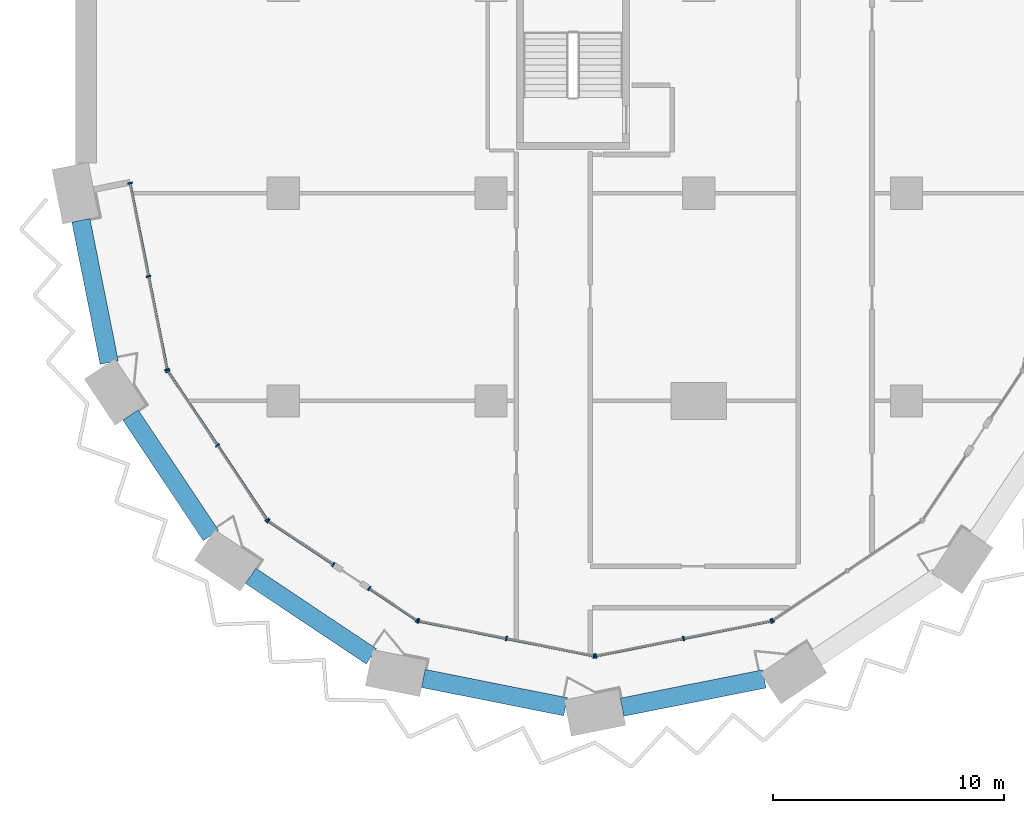
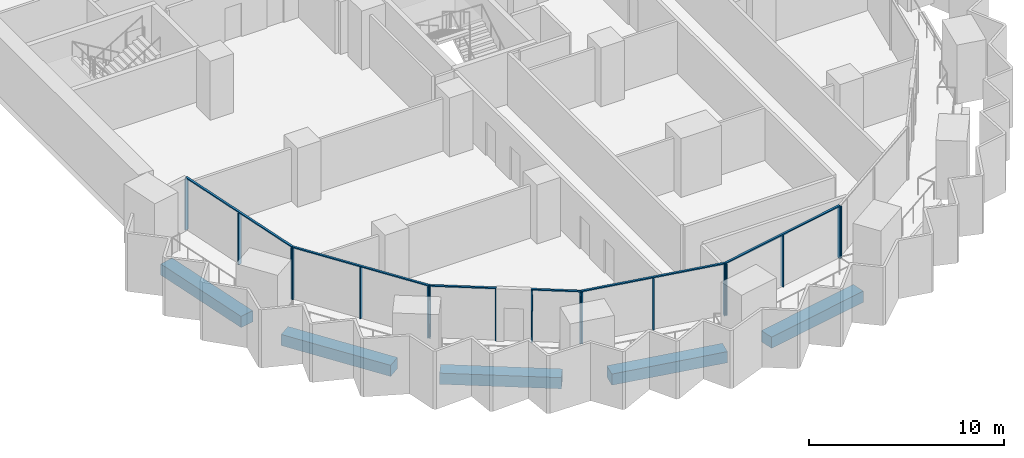
# One storey, part 2 of 29: 23 members, 5 beams, 7 elements without a shape of their own.
"""IFC4 building model written with IfcOpenShell, lengths in metres."""

from ifc_helpers import new_model, si_unit, direction, frame, origin, origin_2d, place, context, subcontext, project, spatial, rectangle, extrude, material, material_profile, profile_set, type_object, element, aggregate, save


model = new_model("IFC4")

# Units and contexts
model_context = context("Model", 3, precision=1e-05, world=origin(), true_north=direction((0.0, 1.0)))
body_context = subcontext(model_context, "Body", "Model", "MODEL_VIEW")
ifc_project = project(units=[si_unit("LENGTHUNIT", "METRE"), si_unit("AREAUNIT", "SQUARE_METRE"), si_unit("VOLUMEUNIT", "CUBIC_METRE"), si_unit("PLANEANGLEUNIT", "RADIAN"), si_unit("MASSUNIT", "GRAM", prefix="KILO")], contexts=[model_context])

# Site, building, storey
site_placement = place(None, origin())
site = spatial("IfcSite", under=ifc_project, at=site_placement, CompositionType="ELEMENT")
building_placement = place(site_placement, origin())
building = spatial("IfcBuilding", under=site, at=building_placement, Name="Hunhe Ridgeline Campus", CompositionType="ELEMENT")
storey_placement = place(building_placement, frame((0.0, 0.0, 50.60009765625)))
storey = spatial("IfcBuildingStorey", under=building, at=storey_placement, Name="L11", CompositionType="ELEMENT", Elevation=50.60009765625)

# Curtain wall, members
ifc_material_1 = material(Name="Aluminium 6063", Category="aluminium")
curtain_wall_type = type_object("IfcCurtainWallType", Name="Curtain wall CW-5", PredefinedType="NOTDEFINED", material=ifc_material_1)
curtain_wall_1_placement = place(storey_placement, origin())
curtain_wall_1 = element("IfcCurtainWall", 1, at=curtain_wall_1_placement, inside=storey, type_object=curtain_wall_type, Name="Curtain wall 01", PredefinedType="NOTDEFINED")
ifc_material_profile_1 = material_profile(ifc_material_1, rectangle(XDim=0.199951171875, YDim=0.070068359375, at=origin_2d()))
ifc_profile_set_1 = profile_set([ifc_material_profile_1], Name="Aluminium 6063")
member_type_1 = type_object("IfcMemberType", Name="CW-5 aluminium mullion", PredefinedType="MULLION", material=ifc_profile_set_1)
member_1_placement = place(storey_placement, frame((2.361572265625, 27.434326171875, 0.0), z_axis=(0.0, 0.0, 1.0), x_axis=(0.980784280831, 0.195095347137, 0.0)))
member_1 = element("IfcMember", 2, at=member_1_placement, type_object=member_type_1, Name="CW-5 mullion 1", PredefinedType="MULLION", context=body_context, shape_type="SweptSolid", body=[
    extrude(rectangle(XDim=0.199951171875, YDim=0.070068359375, at=origin_2d()), origin(), (0.0, 0.0, 1.0), 3.22998046875),
])
member_2_placement = place(storey_placement, frame((3.16455078125, 23.3974609375, 0.0), z_axis=(0.0, 0.0, 1.0), x_axis=(0.980784280831, 0.195095347137, 0.0)))
member_2 = element("IfcMember", 3, at=member_2_placement, type_object=member_type_1, Name="CW-5 mullion 2", PredefinedType="MULLION", context=body_context, shape_type="SweptSolid", body=[
    extrude(rectangle(XDim=0.199951171875, YDim=0.070068359375, at=origin_2d()), origin(), (0.0, 0.0, 1.0), 3.22998046875),
])
member_3_placement = place(storey_placement, frame((3.967529296875, 19.36083984375, 0.0), z_axis=(0.0, 0.0, 1.0), x_axis=(0.980784280831, 0.195095347137, 0.0)))
member_3 = element("IfcMember", 4, at=member_3_placement, type_object=member_type_1, Name="CW-5 mullion 3", PredefinedType="MULLION", context=body_context, shape_type="SweptSolid", body=[
    extrude(rectangle(XDim=0.199951171875, YDim=0.070068359375, at=origin_2d()), origin(), (0.0, 0.0, 1.0), 3.22998046875),
])

curtain_wall_2_placement = place(storey_placement, origin())
curtain_wall_2 = element("IfcCurtainWall", 5, at=curtain_wall_2_placement, inside=storey, type_object=curtain_wall_type, Name="Curtain wall 02", PredefinedType="NOTDEFINED")
member_4_placement = place(storey_placement, frame((3.993896484375, 19.29736328125, 0.0), z_axis=(0.0, 0.0, 1.0), x_axis=(0.831469584522, 0.555570274596, 0.0)))
member_4 = element("IfcMember", 6, at=member_4_placement, type_object=member_type_1, Name="CW-5 mullion 1", PredefinedType="MULLION", context=body_context, shape_type="SweptSolid", body=[
    extrude(rectangle(XDim=0.199951171875, YDim=0.070068359375, at=origin_2d()), origin(), (0.0, 0.0, 1.0), 3.22998046875),
])
member_5_placement = place(storey_placement, frame((6.147705078125, 16.07373046875, 0.0), z_axis=(0.0, 0.0, 1.0), x_axis=(0.831469584522, 0.555570274596, 0.0)))
member_5 = element("IfcMember", 7, at=member_5_placement, type_object=member_type_1, Name="CW-5 mullion 2", PredefinedType="MULLION", context=body_context, shape_type="SweptSolid", body=[
    extrude(rectangle(XDim=0.199951171875, YDim=0.070068359375, at=origin_2d()), origin(), (0.0, 0.0, 1.0), 3.22998046875),
])
member_6_placement = place(storey_placement, frame((8.3017578125, 12.850341796875, 0.0), z_axis=(0.0, 0.0, 1.0), x_axis=(0.831469584522, 0.555570274596, 0.0)))
member_6 = element("IfcMember", 8, at=member_6_placement, type_object=member_type_1, Name="CW-5 mullion 3", PredefinedType="MULLION", context=body_context, shape_type="SweptSolid", body=[
    extrude(rectangle(XDim=0.199951171875, YDim=0.070068359375, at=origin_2d()), origin(), (0.0, 0.0, 1.0), 3.22998046875),
])

curtain_wall_3_placement = place(storey_placement, origin())
curtain_wall_3 = element("IfcCurtainWall", 9, at=curtain_wall_3_placement, inside=storey, type_object=curtain_wall_type, Name="Curtain wall 03", PredefinedType="NOTDEFINED")
member_7_placement = place(storey_placement, frame((8.350341796875, 12.8017578125, 0.0), z_axis=(0.0, 0.0, 1.0), x_axis=(0.555570257501, 0.831469595944, 0.0)))
member_7 = element("IfcMember", 10, at=member_7_placement, type_object=member_type_1, Name="CW-5 mullion 1", PredefinedType="MULLION", context=body_context, shape_type="SweptSolid", body=[
    extrude(rectangle(XDim=0.199951171875, YDim=0.070068359375, at=origin_2d()), origin(), (0.0, 0.0, 1.0), 3.22998046875),
])
member_8_placement = place(storey_placement, frame((11.17041015625, 10.917236328125, 0.0), z_axis=(0.0, 0.0, 1.0), x_axis=(0.555570257501, 0.831469595944, 0.0)))
member_8 = element("IfcMember", 11, at=member_8_placement, type_object=member_type_1, Name="CW-5 mullion 2", PredefinedType="MULLION", context=body_context, shape_type="SweptSolid", body=[
    extrude(rectangle(XDim=0.199951171875, YDim=0.070068359375, at=origin_2d()), origin(), (0.0, 0.0, 1.0), 3.22998046875),
])

curtain_wall_4_placement = place(storey_placement, origin())
curtain_wall_4 = element("IfcCurtainWall", 12, at=curtain_wall_4_placement, inside=storey, type_object=curtain_wall_type, Name="Curtain wall 04", PredefinedType="NOTDEFINED")
member_9_placement = place(storey_placement, frame((12.725341796875, 9.87841796875, 0.0), z_axis=(0.0, 0.0, 1.0), x_axis=(0.555570385598, 0.831469510353, 0.0)))
member_9 = element("IfcMember", 13, at=member_9_placement, type_object=member_type_1, Name="CW-5 mullion 1", PredefinedType="MULLION", context=body_context, shape_type="SweptSolid", body=[
    extrude(rectangle(XDim=0.199951171875, YDim=0.070068359375, at=origin_2d()), origin(), (0.0, 0.0, 1.0), 3.22998046875),
])
member_10_placement = place(storey_placement, frame((14.79736328125, 8.493896484375, 0.0), z_axis=(0.0, 0.0, 1.0), x_axis=(0.555570385598, 0.831469510353, 0.0)))
member_10 = element("IfcMember", 14, at=member_10_placement, type_object=member_type_1, Name="CW-5 mullion 2", PredefinedType="MULLION", context=body_context, shape_type="SweptSolid", body=[
    extrude(rectangle(XDim=0.199951171875, YDim=0.070068359375, at=origin_2d()), origin(), (0.0, 0.0, 1.0), 3.22998046875),
])

curtain_wall_5_placement = place(storey_placement, origin())
curtain_wall_5 = element("IfcCurtainWall", 15, at=curtain_wall_5_placement, inside=storey, type_object=curtain_wall_type, Name="Curtain wall 05", PredefinedType="NOTDEFINED")
member_11_placement = place(storey_placement, frame((14.86083984375, 8.467529296875, 0.0), z_axis=(0.0, 0.0, 1.0), x_axis=(0.195090347539, 0.980785275326, 0.0)))
member_11 = element("IfcMember", 16, at=member_11_placement, type_object=member_type_1, Name="CW-5 mullion 1", PredefinedType="MULLION", context=body_context, shape_type="SweptSolid", body=[
    extrude(rectangle(XDim=0.199951171875, YDim=0.070068359375, at=origin_2d()), origin(), (0.0, 0.0, 1.0), 3.22998046875),
])
member_12_placement = place(storey_placement, frame((18.663330078125, 7.711181640625, 0.0), z_axis=(0.0, 0.0, 1.0), x_axis=(0.195090347539, 0.980785275326, 0.0)))
member_12 = element("IfcMember", 17, at=member_12_placement, type_object=member_type_1, Name="CW-5 mullion 2", PredefinedType="MULLION", context=body_context, shape_type="SweptSolid", body=[
    extrude(rectangle(XDim=0.199951171875, YDim=0.070068359375, at=origin_2d()), origin(), (0.0, 0.0, 1.0), 3.22998046875),
])
member_13_placement = place(storey_placement, frame((22.465576171875, 6.954833984375, 0.0), z_axis=(0.0, 0.0, 1.0), x_axis=(0.195090347539, 0.980785275326, 0.0)))
member_13 = element("IfcMember", 18, at=member_13_placement, type_object=member_type_1, Name="CW-5 mullion 3", PredefinedType="MULLION", context=body_context, shape_type="SweptSolid", body=[
    extrude(rectangle(XDim=0.199951171875, YDim=0.070068359375, at=origin_2d()), origin(), (0.0, 0.0, 1.0), 3.22998046875),
])

curtain_wall_6_placement = place(storey_placement, origin())
curtain_wall_6 = element("IfcCurtainWall", 19, at=curtain_wall_6_placement, inside=storey, type_object=curtain_wall_type, Name="Curtain wall 06", PredefinedType="NOTDEFINED")
member_14_placement = place(storey_placement, frame((22.534423828125, 6.954833984375, 0.0), z_axis=(0.0, 0.0, 1.0), x_axis=(-0.195090347539, 0.980785275326, 0.0)))
member_14 = element("IfcMember", 20, at=member_14_placement, type_object=member_type_1, Name="CW-5 mullion 1", PredefinedType="MULLION", context=body_context, shape_type="SweptSolid", body=[
    extrude(rectangle(XDim=0.199951171875, YDim=0.070068359375, at=origin_2d()), origin(), (0.0, 0.0, 1.0), 3.22998046875),
])
member_15_placement = place(storey_placement, frame((26.336669921875, 7.711181640625, 0.0), z_axis=(0.0, 0.0, 1.0), x_axis=(-0.195090347539, 0.980785275326, 0.0)))
member_15 = element("IfcMember", 21, at=member_15_placement, type_object=member_type_1, Name="CW-5 mullion 2", PredefinedType="MULLION", context=body_context, shape_type="SweptSolid", body=[
    extrude(rectangle(XDim=0.199951171875, YDim=0.070068359375, at=origin_2d()), origin(), (0.0, 0.0, 1.0), 3.22998046875),
])
member_16_placement = place(storey_placement, frame((30.13916015625, 8.467529296875, 0.0), z_axis=(0.0, 0.0, 1.0), x_axis=(-0.195090347539, 0.980785275326, 0.0)))
member_16 = element("IfcMember", 22, at=member_16_placement, type_object=member_type_1, Name="CW-5 mullion 3", PredefinedType="MULLION", context=body_context, shape_type="SweptSolid", body=[
    extrude(rectangle(XDim=0.199951171875, YDim=0.070068359375, at=origin_2d()), origin(), (0.0, 0.0, 1.0), 3.22998046875),
])

# Curtain wall, member
curtain_wall_7_placement = place(storey_placement, origin())
curtain_wall_7 = element("IfcCurtainWall", 23, at=curtain_wall_7_placement, inside=storey, type_object=curtain_wall_type, Name="Curtain wall 07", PredefinedType="NOTDEFINED")
member_17_placement = place(storey_placement, frame((30.20263671875, 8.493896484375, 0.0), z_axis=(0.0, 0.0, 1.0), x_axis=(-0.555570274596, 0.831469584522, 0.0)))
member_17 = element("IfcMember", 24, at=member_17_placement, type_object=member_type_1, Name="CW-5 mullion 1", PredefinedType="MULLION", context=body_context, shape_type="SweptSolid", body=[
    extrude(rectangle(XDim=0.199951171875, YDim=0.070068359375, at=origin_2d()), origin(), (0.0, 0.0, 1.0), 3.22998046875),
])
aggregate(curtain_wall_7, [member_17])

# Member
ifc_material_profile_2 = material_profile(ifc_material_1, rectangle(XDim=0.1201171875, YDim=0.070068359375, at=origin_2d()))
ifc_profile_set_2 = profile_set([ifc_material_profile_2], Name="Aluminium 6063")
member_type_2 = type_object("IfcMemberType", Name="CW-5 aluminium transom", PredefinedType="USERDEFINED", material=ifc_profile_set_2)
member_18_placement = place(storey_placement, frame((2.354736328125, 27.46875, 3.264892578125), z_axis=(0.195092405068, -0.980784866056, 0.0), x_axis=(0.980784866056, 0.195092405068, 0.0)))
member_18 = element("IfcMember", 25, at=member_18_placement, type_object=member_type_2, Name="CW-5 transom 1", ObjectType="TRANSOM", PredefinedType="USERDEFINED", context=body_context, shape_type="SweptSolid", body=[
    extrude(rectangle(XDim=0.1201171875, YDim=0.070068359375, at=origin_2d()), origin(), (0.0, 0.0, 1.0), 8.3017578125),
])

aggregate(curtain_wall_1, [member_18, member_1, member_2, member_3])

member_19_placement = place(storey_placement, frame((3.974365234375, 19.326416015625, 3.264892578125), z_axis=(0.5555640203, -0.831473763475, 0.0), x_axis=(0.831473763475, 0.5555640203, 0.0)))
member_19 = element("IfcMember", 26, at=member_19_placement, type_object=member_type_2, Name="CW-5 transom 1", ObjectType="TRANSOM", PredefinedType="USERDEFINED", context=body_context, shape_type="SweptSolid", body=[
    extrude(rectangle(XDim=0.1201171875, YDim=0.070068359375, at=origin_2d()), origin(), (0.0, 0.0, 1.0), 7.823974609375),
])

aggregate(curtain_wall_2, [member_19, member_4, member_5, member_6])

member_20_placement = place(storey_placement, frame((8.321044921875, 12.821044921875, 3.264892578125), z_axis=(0.831485714606, -0.555546133463, 0.0), x_axis=(0.555546133463, 0.831485714606, 0.0)))
member_20 = element("IfcMember", 27, at=member_20_placement, type_object=member_type_2, Name="CW-5 transom 1", ObjectType="TRANSOM", PredefinedType="USERDEFINED", context=body_context, shape_type="SweptSolid", body=[
    extrude(rectangle(XDim=0.1201171875, YDim=0.070068359375, at=origin_2d()), origin(), (0.0, 0.0, 1.0), 3.462158203125),
])

aggregate(curtain_wall_3, [member_20, member_7, member_8])

member_21_placement = place(storey_placement, frame((12.6962890625, 9.897705078125, 3.264892578125), z_axis=(0.831463388334, -0.555579547735, 0.0), x_axis=(0.555579547735, 0.831463388334, 0.0)))
member_21 = element("IfcMember", 28, at=member_21_placement, type_object=member_type_2, Name="CW-5 transom 1", ObjectType="TRANSOM", PredefinedType="USERDEFINED", context=body_context, shape_type="SweptSolid", body=[
    extrude(rectangle(XDim=0.1201171875, YDim=0.070068359375, at=origin_2d()), origin(), (0.0, 0.0, 1.0), 2.56201171875),
])

aggregate(curtain_wall_4, [member_21, member_9, member_10])

member_22_placement = place(storey_placement, frame((14.826416015625, 8.474365234375, 3.264892578125), z_axis=(0.980785367689, -0.195089883198, 0.0), x_axis=(0.195089883198, 0.980785367689, 0.0)))
member_22 = element("IfcMember", 29, at=member_22_placement, type_object=member_type_2, Name="CW-5 transom 1", ObjectType="TRANSOM", PredefinedType="USERDEFINED", context=body_context, shape_type="SweptSolid", body=[
    extrude(rectangle(XDim=0.1201171875, YDim=0.070068359375, at=origin_2d()), origin(), (0.0, 0.0, 1.0), 7.823974609375),
])

aggregate(curtain_wall_5, [member_22, member_11, member_12, member_13])

member_23_placement = place(storey_placement, frame((22.5, 6.947998046875, 3.264892578125), z_axis=(0.980785367689, 0.195089883198, 0.0), x_axis=(-0.195089883198, 0.980785367689, 0.0)))
member_23 = element("IfcMember", 30, at=member_23_placement, type_object=member_type_2, Name="CW-5 transom 1", ObjectType="TRANSOM", PredefinedType="USERDEFINED", context=body_context, shape_type="SweptSolid", body=[
    extrude(rectangle(XDim=0.1201171875, YDim=0.070068359375, at=origin_2d()), origin(), (0.0, 0.0, 1.0), 7.823974609375),
])

aggregate(curtain_wall_6, [member_23, member_14, member_15, member_16])

# Beams
ifc_material_2 = material(Name="Concrete C60", Category="concrete")
ifc_material_profile_3 = material_profile(ifc_material_2, rectangle(XDim=0.800048828125, YDim=0.699951171875, at=origin_2d()))
ifc_profile_set_3 = profile_set([ifc_material_profile_3], Name="Concrete C60")
beam_type = type_object("IfcBeamType", Name="RC spandrel beam 800x700 Concrete C60", PredefinedType="SPANDREL", material=ifc_profile_set_3)
for number, where, z_axis, x_axis, name in (
    (31, (0.234130859375, 25.822998046875, -0.60009765625), (0.195076855144, -0.980787959034, 0.0), (0.980787959034, 0.195076855144, 0.0), "Spandrel beam B1-1 L11"),
    (32, (2.37939453125, 17.391845703125, -0.60009765625), (0.555570106491, -0.831469696846, 0.0), (0.831469696846, 0.555570106491, 0.0), "Spandrel beam B1-2 L11"),
    (33, (7.587890625, 10.42333984375, -0.60009765625), (0.831469696846, -0.555570106491, 0.0), (0.555570106491, 0.831469696846, 0.0), "Spandrel beam B1-3 L11"),
    (34, (15.066650390625, 5.978515625, -0.60009765625), (0.980787959034, -0.195076855144, 0.0), (0.195076855144, 0.980787959034, 0.0), "Spandrel beam B1-4 L11"),
    (35, (23.677001953125, 4.734130859375, -0.60009765625), (0.980787959034, 0.195076855144, 0.0), (-0.195076855144, 0.980787959034, 0.0), "Spandrel beam B1-5 L11"),
):
    element("IfcBeam", number, at=place(storey_placement, frame(where, z_axis=z_axis, x_axis=x_axis)), inside=storey, type_object=beam_type, Name=name, PredefinedType="SPANDREL", context=body_context, shape_type="SweptSolid", body=[
        extrude(rectangle(XDim=0.800048828125, YDim=0.699951171875, at=origin_2d()), origin(), (0.0, 0.0, 1.0), 6.280029296875),
    ])

save(model, "model.ifc")
